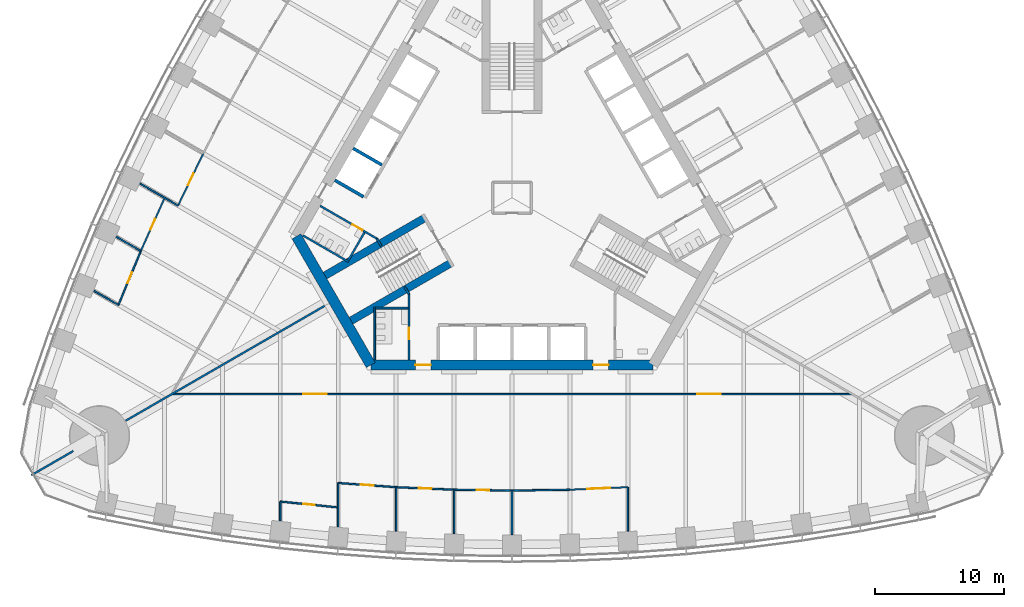
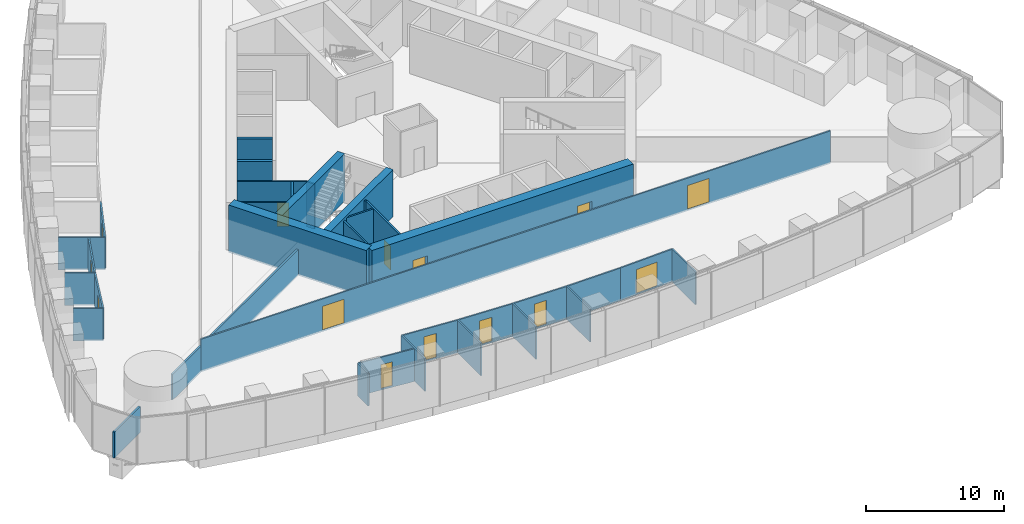
# One storey, part 10 of 18: 35 walls, 14 doors, 14 openings.
"""IFC4 building model written with IfcOpenShell, lengths in metres."""

from ifc_helpers import new_model, si_unit, direction, frame, frame_2d, origin, place, context, subcontext, project, spatial, rectangle, extrude, material, layer, layer_set, type_object, element, fill, save


model = new_model("IFC4")

# Units and contexts
model_context = context("Model", 3, precision=1e-05, world=origin(), true_north=direction((0.0, 1.0)))
body_context = subcontext(model_context, "Body", "Model", "MODEL_VIEW")
ifc_project = project(units=[si_unit("LENGTHUNIT", "METRE"), si_unit("AREAUNIT", "SQUARE_METRE"), si_unit("VOLUMEUNIT", "CUBIC_METRE"), si_unit("PLANEANGLEUNIT", "RADIAN"), si_unit("MASSUNIT", "GRAM", prefix="KILO")], contexts=[model_context])

# Site, building, storey
site_placement = place(None, origin())
site = spatial("IfcSite", under=ifc_project, at=site_placement, CompositionType="ELEMENT")
building_placement = place(site_placement, origin())
building = spatial("IfcBuilding", under=site, at=building_placement, Name="Trefoil Bronze Tower", CompositionType="ELEMENT")
storey_placement = place(building_placement, frame((0.0, 0.0, 54.300048828125)))
storey = spatial("IfcBuildingStorey", under=building, at=storey_placement, Name="L12", CompositionType="ELEMENT", Elevation=54.300048828125)

# Wall, openings, doors
ifc_material_1 = material(Name="Concrete B80", Category="concrete")
ifc_layer_1 = layer(ifc_material_1, 0.800048828125)
ifc_layer_set_1 = layer_set([ifc_layer_1], Name="Core wall 800")
wall_type_1 = type_object("IfcWallType", Name="Core wall 800", PredefinedType="SHEAR", material=ifc_layer_set_1)
wall_1_placement = place(storey_placement, frame((-10.9697265625, -13.0, 0.0), z_axis=(0.0, 0.0, 1.0), x_axis=(1.0, 0.0, 0.0)))
wall_1 = element("IfcWall", 1, at=wall_1_placement, inside=storey, type_object=wall_type_1, Name="Core long wall 1 L12", PredefinedType="SHEAR", context=body_context, shape_type="SweptSolid", body=[
    extrude(rectangle(XDim=21.939453125, YDim=0.800048828125, at=frame_2d((10.9697265625, 0.0))), origin(), (0.0, 0.0, 1.0), 4.199951171875),
])
opening_1_placement = place(wall_1_placement, frame((17.269775390625, 0.0, 0.0)))
opening_1 = element("IfcOpeningElement", 2, at=opening_1_placement, cuts=wall_1, Name="Opening D2", PredefinedType="OPENING", context=body_context, shape_type="SweptSolid", body=[
    extrude(rectangle(XDim=1.199951171875, YDim=2.10009765625, at=frame_2d((0.60009765625, 1.050048828125))), frame((0.0, 0.409912109375, 0.0), z_axis=(0.0, -1.0, 0.0), x_axis=(1.0, 0.0, 0.0)), (0.0, 0.0, 1.0), 0.820068359375),
])
opening_2_placement = place(wall_1_placement, frame((3.4697265625, 0.0, 0.0)))
opening_2 = element("IfcOpeningElement", 3, at=opening_2_placement, cuts=wall_1, Name="Opening D2", PredefinedType="OPENING", context=body_context, shape_type="SweptSolid", body=[
    extrude(rectangle(XDim=1.199951171875, YDim=2.10009765625, at=frame_2d((0.60009765625, 1.050048828125))), frame((0.0, 0.409912109375, 0.0), z_axis=(0.0, -1.0, 0.0), x_axis=(1.0, 0.0, 0.0)), (0.0, 0.0, 1.0), 0.820068359375),
])
ifc_material_2 = material(Name="Steel door", Category="steel")
door_type_1 = type_object("IfcDoorType", Name="Lobby door 1200", OperationType="SINGLE_SWING_RIGHT", PredefinedType="DOOR", material=ifc_material_2)
door_1_placement = place(opening_1_placement, origin())
door_1 = element("IfcDoor", 4, at=door_1_placement, inside=storey, type_object=door_type_1, Name="Lobby door F1+ L12", OperationType="SINGLE_SWING_RIGHT", OverallHeight=2.10009765625, OverallWidth=1.199951171875, PredefinedType="DOOR", context=body_context, shape_type="SweptSolid", body=[
    extrude(rectangle(XDim=1.199951171875, YDim=2.10009765625, at=frame_2d((0.60009765625, 1.050048828125))), frame((0.0, 0.02490234375, 0.0), z_axis=(0.0, -1.0, 0.0), x_axis=(1.0, 0.0, 0.0)), (0.0, 0.0, 1.0), 0.050048828125),
])
fill(opening_1, door_1)
door_2_placement = place(opening_2_placement, origin())
door_2 = element("IfcDoor", 5, at=door_2_placement, inside=storey, type_object=door_type_1, Name="Lobby door F1- L12", OperationType="SINGLE_SWING_LEFT", OverallHeight=2.10009765625, OverallWidth=1.199951171875, PredefinedType="DOOR", context=body_context, shape_type="SweptSolid", body=[
    extrude(rectangle(XDim=1.199951171875, YDim=2.10009765625, at=frame_2d((0.60009765625, 1.050048828125))), frame((0.0, 0.02490234375, 0.0), z_axis=(0.0, -1.0, 0.0), x_axis=(1.0, 0.0, 0.0)), (0.0, 0.0, 1.0), 0.050048828125),
])
fill(opening_2, door_2)

# Wall
wall_2_placement = place(storey_placement, frame((-16.7431640625, -3.0, 0.0), z_axis=(0.0, 0.0, 1.0), x_axis=(0.499995765644, -0.866027848477, 0.0)))
element("IfcWall", 6, at=wall_2_placement, inside=storey, type_object=wall_type_1, Name="Core short wall 3 L12", PredefinedType="SHEAR", context=body_context, shape_type="SweptSolid", body=[
    extrude(rectangle(XDim=11.546875, YDim=0.800048828125, at=frame_2d((5.7734375, 0.0))), origin(), (0.0, 0.0, 1.0), 4.199951171875),
])

# Wall, openings, doors
ifc_material_3 = material(Name="Glazed partition", Category="glass")
ifc_layer_2 = layer(ifc_material_3, 0.1201171875)
ifc_layer_set_2 = layer_set([ifc_layer_2], Name="Glazed partition 120")
wall_type_2 = type_object("IfcWallType", Name="Glazed partition 120", PredefinedType="PARTITIONING", material=ifc_layer_set_2)
wall_3_placement = place(storey_placement, frame((-26.398193359375, -15.260009765625, 0.0), z_axis=(0.0, 0.0, 1.0), x_axis=(1.0, 0.0, 0.0)))
wall_3 = element("IfcWall", 7, at=wall_3_placement, inside=storey, type_object=wall_type_2, Name="Partition F1 L12", PredefinedType="PARTITIONING", context=body_context, shape_type="SweptSolid", body=[
    extrude(rectangle(XDim=52.79638671875, YDim=0.1201171875, at=frame_2d((26.398193359375, 0.0))), origin(), (0.0, 0.0, 1.0), 2.89990234375),
])
opening_3_placement = place(wall_3_placement, frame((10.199951171875, 0.0, 0.14990234375)))
opening_3 = element("IfcOpeningElement", 8, at=opening_3_placement, cuts=wall_3, Name="Opening D10", PredefinedType="OPENING", context=body_context, shape_type="SweptSolid", body=[
    extrude(rectangle(XDim=1.800048828125, YDim=2.10009765625, at=frame_2d((0.89990234375, 1.050048828125))), frame((0.0, 0.070068359375, 0.0), z_axis=(0.0, -1.0, 0.0), x_axis=(1.0, 0.0, 0.0)), (0.0, 0.0, 1.0), 0.14013671875),
])
opening_4_placement = place(wall_3_placement, frame((40.800048828125, 0.0, 0.14990234375)))
opening_4 = element("IfcOpeningElement", 9, at=opening_4_placement, cuts=wall_3, Name="Opening D10", PredefinedType="OPENING", context=body_context, shape_type="SweptSolid", body=[
    extrude(rectangle(XDim=1.800048828125, YDim=2.10009765625, at=frame_2d((0.89990234375, 1.050048828125))), frame((0.0, 0.070068359375, 0.0), z_axis=(0.0, -1.0, 0.0), x_axis=(1.0, 0.0, 0.0)), (0.0, 0.0, 1.0), 0.14013671875),
])
ifc_material_4 = material(Name="Timber door", Category="wood")
door_type_2 = type_object("IfcDoorType", Name="Double door 1800", OperationType="DOUBLE_DOOR_SINGLE_SWING", PredefinedType="DOOR", material=ifc_material_4)
door_3_placement = place(opening_3_placement, origin())
door_3 = element("IfcDoor", 10, at=door_3_placement, inside=storey, type_object=door_type_2, Name="Corridor door F1 L12", OperationType="DOUBLE_DOOR_SINGLE_SWING", OverallHeight=2.10009765625, OverallWidth=1.800048828125, PredefinedType="DOOR", context=body_context, shape_type="SweptSolid", body=[
    extrude(rectangle(XDim=1.800048828125, YDim=2.10009765625, at=frame_2d((0.89990234375, 1.050048828125))), frame((0.0, 0.02490234375, 0.0), z_axis=(0.0, -1.0, 0.0), x_axis=(1.0, 0.0, 0.0)), (0.0, 0.0, 1.0), 0.050048828125),
])
fill(opening_3, door_3)
door_4_placement = place(opening_4_placement, origin())
door_4 = element("IfcDoor", 11, at=door_4_placement, inside=storey, type_object=door_type_2, Name="Corridor door F1 L12", OperationType="DOUBLE_DOOR_SINGLE_SWING", OverallHeight=2.10009765625, OverallWidth=1.800048828125, PredefinedType="DOOR", context=body_context, shape_type="SweptSolid", body=[
    extrude(rectangle(XDim=1.800048828125, YDim=2.10009765625, at=frame_2d((0.89990234375, 1.050048828125))), frame((0.0, 0.02490234375, 0.0), z_axis=(0.0, -1.0, 0.0), x_axis=(1.0, 0.0, 0.0)), (0.0, 0.0, 1.0), 0.050048828125),
])
fill(opening_4, door_4)

# Wall
wall_4_placement = place(storey_placement, frame((0.0, -22.748779296875, 0.0), z_axis=(0.0, 0.0, 1.0), x_axis=(0.999894311967, 0.014538393859, 0.0)))
element("IfcWall", 12, at=wall_4_placement, inside=storey, type_object=wall_type_2, Name="Partition F1 L12", PredefinedType="PARTITIONING", context=body_context, shape_type="SweptSolid", body=[
    extrude(rectangle(XDim=4.50048828125, YDim=0.1201171875, at=frame_2d((2.250244140625, 0.0))), origin(), (0.0, 0.0, 1.0), 2.89990234375),
])

# Wall, opening, door
wall_5_placement = place(storey_placement, frame((4.5, -22.683349609375, 0.0), z_axis=(0.0, 0.0, 1.0), x_axis=(0.999052370647, 0.043524254212, 0.0)))
wall_5 = element("IfcWall", 13, at=wall_5_placement, inside=storey, type_object=wall_type_2, Name="Partition F1 L12", PredefinedType="PARTITIONING", context=body_context, shape_type="SweptSolid", body=[
    extrude(rectangle(XDim=4.504150390625, YDim=0.1201171875, at=frame_2d((2.251953125, 0.0))), origin(), (0.0, 0.0, 1.0), 2.89990234375),
])
opening_5_placement = place(wall_5_placement, frame((1.35009765625, 0.0, 0.14990234375)))
opening_5 = element("IfcOpeningElement", 14, at=opening_5_placement, cuts=wall_5, Name="Opening D10", PredefinedType="OPENING", context=body_context, shape_type="SweptSolid", body=[
    extrude(rectangle(XDim=1.800048828125, YDim=2.10009765625, at=frame_2d((0.89990234375, 1.050048828125))), frame((0.0, 0.070068359375, 0.0), z_axis=(0.0, -1.0, 0.0), x_axis=(1.0, 0.0, 0.0)), (0.0, 0.0, 1.0), 0.14013671875),
])
door_5_placement = place(opening_5_placement, frame((1.800048828125, 0.0, 0.0), z_axis=(0.0, 0.0, 1.0), x_axis=(-1.0, 0.0, 0.0)))
door_5 = element("IfcDoor", 15, at=door_5_placement, inside=storey, type_object=door_type_2, Name="Kitchen and breakout door F1 L12", OperationType="DOUBLE_DOOR_SINGLE_SWING", OverallHeight=2.10009765625, OverallWidth=1.800048828125, PredefinedType="DOOR", context=body_context, shape_type="SweptSolid", body=[
    extrude(rectangle(XDim=1.800048828125, YDim=2.10009765625, at=frame_2d((0.89990234375, 1.050048828125))), frame((0.0, 0.02490234375, 0.0), z_axis=(0.0, -1.0, 0.0), x_axis=(1.0, 0.0, 0.0)), (0.0, 0.0, 1.0), 0.050048828125),
])
fill(opening_5, door_5)

wall_6_placement = place(storey_placement, frame((-13.5, -22.159912109375, 0.0), z_axis=(0.0, 0.0, 1.0), x_axis=(0.997363894896, -0.072562119306, 0.0)))
wall_6 = element("IfcWall", 16, at=wall_6_placement, inside=storey, type_object=wall_type_2, Name="Partition F1 L12", PredefinedType="PARTITIONING", context=body_context, shape_type="SweptSolid", body=[
    extrude(rectangle(XDim=4.511962890625, YDim=0.1201171875, at=frame_2d((2.255859375, 0.0))), origin(), (0.0, 0.0, 1.0), 2.89990234375),
])
opening_6_placement = place(wall_6_placement, frame((1.75, 0.0, 0.14990234375)))
opening_6 = element("IfcOpeningElement", 17, at=opening_6_placement, cuts=wall_6, Name="Opening D9", PredefinedType="OPENING", context=body_context, shape_type="SweptSolid", body=[
    extrude(rectangle(XDim=1.0, YDim=2.10009765625, at=frame_2d((0.5, 1.050048828125))), frame((0.0, 0.070068359375, 0.0), z_axis=(0.0, -1.0, 0.0), x_axis=(1.0, 0.0, 0.0)), (0.0, 0.0, 1.0), 0.14013671875),
])
ifc_material_5 = material(Name="Glazed timber door", Category="wood")
door_type_3 = type_object("IfcDoorType", Name="Meeting room door 1000", OperationType="SINGLE_SWING_LEFT", PredefinedType="DOOR", material=ifc_material_5)
door_6_placement = place(opening_6_placement, frame((1.0, 0.0, 0.0), z_axis=(0.0, 0.0, 1.0), x_axis=(-1.0, 0.0, 0.0)))
door_6 = element("IfcDoor", 18, at=door_6_placement, inside=storey, type_object=door_type_3, Name="Meeting room door F1 L12", OperationType="SINGLE_SWING_RIGHT", OverallHeight=2.10009765625, OverallWidth=1.0, PredefinedType="DOOR", context=body_context, shape_type="SweptSolid", body=[
    extrude(rectangle(XDim=1.0, YDim=2.10009765625, at=frame_2d((0.5, 1.050048828125))), frame((0.0, 0.02490234375, 0.0), z_axis=(0.0, -1.0, 0.0), x_axis=(1.0, 0.0, 0.0)), (0.0, 0.0, 1.0), 0.050048828125),
])
fill(opening_6, door_6)

wall_7_placement = place(storey_placement, frame((-18.0, -23.6005859375, 0.0), z_axis=(0.0, 0.0, 1.0), x_axis=(0.994827688697, -0.101576915697, 0.0)))
wall_7 = element("IfcWall", 19, at=wall_7_placement, inside=storey, type_object=wall_type_2, Name="Partition F1 L12", PredefinedType="PARTITIONING", context=body_context, shape_type="SweptSolid", body=[
    extrude(rectangle(XDim=4.5234375, YDim=0.1201171875, at=frame_2d((2.26171875, 0.0))), origin(), (0.0, 0.0, 1.0), 2.89990234375),
])
opening_7_placement = place(wall_7_placement, frame((1.800048828125, 0.0, 0.14990234375)))
opening_7 = element("IfcOpeningElement", 20, at=opening_7_placement, cuts=wall_7, Name="Opening D8", PredefinedType="OPENING", context=body_context, shape_type="SweptSolid", body=[
    extrude(rectangle(XDim=0.89990234375, YDim=2.10009765625, at=frame_2d((0.449951171875, 1.050048828125))), frame((0.0, 0.070068359375, 0.0), z_axis=(0.0, -1.0, 0.0), x_axis=(1.0, 0.0, 0.0)), (0.0, 0.0, 1.0), 0.14013671875),
])
ifc_material_6 = material(Name="Timber door", Category="wood")
door_type_4 = type_object("IfcDoorType", Name="Office door 900", OperationType="SINGLE_SWING_LEFT", PredefinedType="DOOR", material=ifc_material_6)
door_7_placement = place(opening_7_placement, frame((0.89990234375, 0.0, 0.0), z_axis=(0.0, 0.0, 1.0), x_axis=(-1.0, 0.0, 0.0)))
door_7 = element("IfcDoor", 21, at=door_7_placement, inside=storey, type_object=door_type_4, Name="Comms room door F1 L12", OperationType="SINGLE_SWING_RIGHT", OverallHeight=2.10009765625, OverallWidth=0.89990234375, PredefinedType="DOOR", context=body_context, shape_type="SweptSolid", body=[
    extrude(rectangle(XDim=0.89990234375, YDim=2.10009765625, at=frame_2d((0.449951171875, 1.050048828125))), frame((0.0, 0.02490234375, 0.0), z_axis=(0.0, -1.0, 0.0), x_axis=(1.0, 0.0, 0.0)), (0.0, 0.0, 1.0), 0.050048828125),
])
fill(opening_7, door_7)

wall_8_placement = place(storey_placement, frame((-4.5, -22.683349609375, 0.0), z_axis=(0.0, 0.0, 1.0), x_axis=(0.999894311967, -0.014538393859, 0.0)))
wall_8 = element("IfcWall", 22, at=wall_8_placement, inside=storey, type_object=wall_type_2, Name="Partition F1 L12", PredefinedType="PARTITIONING", context=body_context, shape_type="SweptSolid", body=[
    extrude(rectangle(XDim=4.50048828125, YDim=0.1201171875, at=frame_2d((2.250244140625, 0.0))), origin(), (0.0, 0.0, 1.0), 2.89990234375),
])
opening_8_placement = place(wall_8_placement, frame((1.75, 0.0, 0.14990234375)))
opening_8 = element("IfcOpeningElement", 23, at=opening_8_placement, cuts=wall_8, Name="Opening D9", PredefinedType="OPENING", context=body_context, shape_type="SweptSolid", body=[
    extrude(rectangle(XDim=1.0, YDim=2.10009765625, at=frame_2d((0.5, 1.050048828125))), frame((0.0, 0.070068359375, 0.0), z_axis=(0.0, -1.0, 0.0), x_axis=(1.0, 0.0, 0.0)), (0.0, 0.0, 1.0), 0.14013671875),
])
door_8_placement = place(opening_8_placement, frame((1.0, 0.0, 0.0), z_axis=(0.0, 0.0, 1.0), x_axis=(-1.0, 0.0, 0.0)))
door_8 = element("IfcDoor", 24, at=door_8_placement, inside=storey, type_object=door_type_3, Name="Meeting room door F1 L12", OperationType="SINGLE_SWING_RIGHT", OverallHeight=2.10009765625, OverallWidth=1.0, PredefinedType="DOOR", context=body_context, shape_type="SweptSolid", body=[
    extrude(rectangle(XDim=1.0, YDim=2.10009765625, at=frame_2d((0.5, 1.050048828125))), frame((0.0, 0.02490234375, 0.0), z_axis=(0.0, -1.0, 0.0), x_axis=(1.0, 0.0, 0.0)), (0.0, 0.0, 1.0), 0.050048828125),
])
fill(opening_8, door_8)

wall_9_placement = place(storey_placement, frame((-9.0, -22.4873046875, 0.0), z_axis=(0.0, 0.0, 1.0), x_axis=(0.999052370647, -0.043524254212, 0.0)))
wall_9 = element("IfcWall", 25, at=wall_9_placement, inside=storey, type_object=wall_type_2, Name="Partition F1 L12", PredefinedType="PARTITIONING", context=body_context, shape_type="SweptSolid", body=[
    extrude(rectangle(XDim=4.504150390625, YDim=0.1201171875, at=frame_2d((2.251953125, 0.0))), origin(), (0.0, 0.0, 1.0), 2.89990234375),
])
opening_9_placement = place(wall_9_placement, frame((1.75, 0.0, 0.14990234375)))
opening_9 = element("IfcOpeningElement", 26, at=opening_9_placement, cuts=wall_9, Name="Opening D9", PredefinedType="OPENING", context=body_context, shape_type="SweptSolid", body=[
    extrude(rectangle(XDim=1.0, YDim=2.10009765625, at=frame_2d((0.5, 1.050048828125))), frame((0.0, 0.070068359375, 0.0), z_axis=(0.0, -1.0, 0.0), x_axis=(1.0, 0.0, 0.0)), (0.0, 0.0, 1.0), 0.14013671875),
])
door_9_placement = place(opening_9_placement, frame((1.0, 0.0, 0.0), z_axis=(0.0, 0.0, 1.0), x_axis=(-1.0, 0.0, 0.0)))
door_9 = element("IfcDoor", 27, at=door_9_placement, inside=storey, type_object=door_type_3, Name="Meeting room door F1 L12", OperationType="SINGLE_SWING_RIGHT", OverallHeight=2.10009765625, OverallWidth=1.0, PredefinedType="DOOR", context=body_context, shape_type="SweptSolid", body=[
    extrude(rectangle(XDim=1.0, YDim=2.10009765625, at=frame_2d((0.5, 1.050048828125))), frame((0.0, 0.02490234375, 0.0), z_axis=(0.0, -1.0, 0.0), x_axis=(1.0, 0.0, 0.0)), (0.0, 0.0, 1.0), 0.050048828125),
])
fill(opening_9, door_9)

# Walls
wall_10_placement = place(storey_placement, frame((0.0, -22.748779296875, 0.0), z_axis=(0.0, 0.0, 1.0), x_axis=(0.0, -1.0, 0.0)))
element("IfcWall", 28, at=wall_10_placement, inside=storey, type_object=wall_type_2, Name="Partition F1 L12", PredefinedType="PARTITIONING", context=body_context, shape_type="SweptSolid", body=[
    extrude(rectangle(XDim=3.419921875, YDim=0.1201171875, at=frame_2d((1.7099609375, 0.0))), origin(), (0.0, 0.0, 1.0), 2.89990234375),
])
wall_11_placement = place(storey_placement, frame((9.0, -22.4873046875, 0.0), z_axis=(0.0, 0.0, 1.0), x_axis=(0.0, -1.0, 0.0)))
element("IfcWall", 29, at=wall_11_placement, inside=storey, type_object=wall_type_2, Name="Partition F1 L12", PredefinedType="PARTITIONING", context=body_context, shape_type="SweptSolid", body=[
    extrude(rectangle(XDim=3.41748046875, YDim=0.1201171875, at=frame_2d((1.708740234375, 0.0))), origin(), (0.0, 0.0, 1.0), 2.89990234375),
])
wall_12_placement = place(storey_placement, frame((-13.5, -22.159912109375, 0.0), z_axis=(0.0, 0.0, 1.0), x_axis=(0.0, -1.0, 0.0)))
element("IfcWall", 30, at=wall_12_placement, inside=storey, type_object=wall_type_2, Name="Partition F1 L12", PredefinedType="PARTITIONING", context=body_context, shape_type="SweptSolid", body=[
    extrude(rectangle(XDim=3.4140625, YDim=0.1201171875, at=frame_2d((1.70703125, 0.0))), origin(), (0.0, 0.0, 1.0), 2.89990234375),
])
wall_13_placement = place(storey_placement, frame((-18.0, -23.6005859375, 0.0), z_axis=(0.0, 0.0, 1.0), x_axis=(0.0, -1.0, 0.0)))
element("IfcWall", 31, at=wall_13_placement, inside=storey, type_object=wall_type_2, Name="Partition F1 L12", PredefinedType="PARTITIONING", context=body_context, shape_type="SweptSolid", body=[
    extrude(rectangle(XDim=1.50927734375, YDim=0.1201171875, at=frame_2d((0.754638671875, 0.0))), origin(), (0.0, 0.0, 1.0), 2.89990234375),
])
wall_14_placement = place(storey_placement, frame((-4.5, -22.683349609375, 0.0), z_axis=(0.0, 0.0, 1.0), x_axis=(0.0, -1.0, 0.0)))
element("IfcWall", 32, at=wall_14_placement, inside=storey, type_object=wall_type_2, Name="Partition F1 L12", PredefinedType="PARTITIONING", context=body_context, shape_type="SweptSolid", body=[
    extrude(rectangle(XDim=3.41943359375, YDim=0.1201171875, at=frame_2d((1.709716796875, 0.0))), origin(), (0.0, 0.0, 1.0), 2.89990234375),
])
wall_15_placement = place(storey_placement, frame((-9.0, -22.4873046875, 0.0), z_axis=(0.0, 0.0, 1.0), x_axis=(0.0, -1.0, 0.0)))
element("IfcWall", 33, at=wall_15_placement, inside=storey, type_object=wall_type_2, Name="Partition F1 L12", PredefinedType="PARTITIONING", context=body_context, shape_type="SweptSolid", body=[
    extrude(rectangle(XDim=3.41748046875, YDim=0.1201171875, at=frame_2d((1.708740234375, 0.0))), origin(), (0.0, 0.0, 1.0), 2.89990234375),
])

# Wall, opening, door
wall_16_placement = place(storey_placement, frame((-26.98046875, -0.01123046875, 0.0), z_axis=(0.0, 0.0, 1.0), x_axis=(-0.409430894151, -0.912341132973, 0.0)))
wall_16 = element("IfcWall", 34, at=wall_16_placement, inside=storey, type_object=wall_type_2, Name="Partition F3 L12", PredefinedType="PARTITIONING", context=body_context, shape_type="SweptSolid", body=[
    extrude(rectangle(XDim=4.5234375, YDim=0.1201171875, at=frame_2d((2.26171875, 0.0))), origin(), (0.0, 0.0, 1.0), 2.89990234375),
])
opening_10_placement = place(wall_16_placement, frame((1.800048828125, 0.0, 0.14990234375)))
opening_10 = element("IfcOpeningElement", 35, at=opening_10_placement, cuts=wall_16, Name="Opening D8", PredefinedType="OPENING", context=body_context, shape_type="SweptSolid", body=[
    extrude(rectangle(XDim=0.89990234375, YDim=2.10009765625, at=frame_2d((0.449951171875, 1.050048828125))), frame((0.0, 0.070068359375, 0.0), z_axis=(0.0, -1.0, 0.0), x_axis=(1.0, 0.0, 0.0)), (0.0, 0.0, 1.0), 0.14013671875),
])
door_10_placement = place(opening_10_placement, frame((0.89990234375, 0.0, 0.0), z_axis=(0.0, 0.0, 1.0), x_axis=(-1.0, 0.0, 0.0)))
door_10 = element("IfcDoor", 36, at=door_10_placement, inside=storey, type_object=door_type_4, Name="Pantry door F3 L12", OperationType="SINGLE_SWING_RIGHT", OverallHeight=2.10009765625, OverallWidth=0.89990234375, PredefinedType="DOOR", context=body_context, shape_type="SweptSolid", body=[
    extrude(rectangle(XDim=0.89990234375, YDim=2.10009765625, at=frame_2d((0.449951171875, 1.050048828125))), frame((0.0, 0.02490234375, 0.0), z_axis=(0.0, -1.0, 0.0), x_axis=(1.0, 0.0, 0.0)), (0.0, 0.0, 1.0), 0.050048828125),
])
fill(opening_10, door_10)

wall_17_placement = place(storey_placement, frame((-28.83251953125, -4.13818359375, 0.0), z_axis=(0.0, 0.0, 1.0), x_axis=(-0.38265900014, -0.923889652292, 0.0)))
wall_17 = element("IfcWall", 37, at=wall_17_placement, inside=storey, type_object=wall_type_2, Name="Partition F3 L12", PredefinedType="PARTITIONING", context=body_context, shape_type="SweptSolid", body=[
    extrude(rectangle(XDim=4.538818359375, YDim=0.1201171875, at=frame_2d((2.26953125, 0.0))), origin(), (0.0, 0.0, 1.0), 2.89990234375),
])
opening_11_placement = place(wall_17_placement, frame((1.800048828125, 0.0, 0.14990234375)))
opening_11 = element("IfcOpeningElement", 38, at=opening_11_placement, cuts=wall_17, Name="Opening D8", PredefinedType="OPENING", context=body_context, shape_type="SweptSolid", body=[
    extrude(rectangle(XDim=0.89990234375, YDim=2.10009765625, at=frame_2d((0.449951171875, 1.050048828125))), frame((0.0, 0.070068359375, 0.0), z_axis=(0.0, -1.0, 0.0), x_axis=(1.0, 0.0, 0.0)), (0.0, 0.0, 1.0), 0.14013671875),
])
door_11_placement = place(opening_11_placement, frame((0.89990234375, 0.0, 0.0), z_axis=(0.0, 0.0, 1.0), x_axis=(-1.0, 0.0, 0.0)))
door_11 = element("IfcDoor", 39, at=door_11_placement, inside=storey, type_object=door_type_4, Name="Pantry door F3 L12", OperationType="SINGLE_SWING_RIGHT", OverallHeight=2.10009765625, OverallWidth=0.89990234375, PredefinedType="DOOR", context=body_context, shape_type="SweptSolid", body=[
    extrude(rectangle(XDim=0.89990234375, YDim=2.10009765625, at=frame_2d((0.449951171875, 1.050048828125))), frame((0.0, 0.02490234375, 0.0), z_axis=(0.0, -1.0, 0.0), x_axis=(1.0, 0.0, 0.0)), (0.0, 0.0, 1.0), 0.050048828125),
])
fill(opening_11, door_11)

wall_18_placement = place(storey_placement, frame((-23.974609375, 3.449462890625, 0.0), z_axis=(0.0, 0.0, 1.0), x_axis=(-0.435857917556, -0.900015486369, 0.0)))
wall_18 = element("IfcWall", 40, at=wall_18_placement, inside=storey, type_object=wall_type_2, Name="Partition F3 L12", PredefinedType="PARTITIONING", context=body_context, shape_type="SweptSolid", body=[
    extrude(rectangle(XDim=4.511962890625, YDim=0.1201171875, at=frame_2d((2.255859375, 0.0))), origin(), (0.0, 0.0, 1.0), 2.89990234375),
])
opening_12_placement = place(wall_18_placement, frame((1.75, 0.0, 0.14990234375)))
opening_12 = element("IfcOpeningElement", 41, at=opening_12_placement, cuts=wall_18, Name="Opening D9", PredefinedType="OPENING", context=body_context, shape_type="SweptSolid", body=[
    extrude(rectangle(XDim=1.0, YDim=2.10009765625, at=frame_2d((0.5, 1.050048828125))), frame((0.0, 0.070068359375, 0.0), z_axis=(0.0, -1.0, 0.0), x_axis=(1.0, 0.0, 0.0)), (0.0, 0.0, 1.0), 0.14013671875),
])
door_12_placement = place(opening_12_placement, frame((1.0, 0.0, 0.0), z_axis=(0.0, 0.0, 1.0), x_axis=(-1.0, 0.0, 0.0)))
door_12 = element("IfcDoor", 42, at=door_12_placement, inside=storey, type_object=door_type_3, Name="Meeting room door F3 L12", OperationType="SINGLE_SWING_RIGHT", OverallHeight=2.10009765625, OverallWidth=1.0, PredefinedType="DOOR", context=body_context, shape_type="SweptSolid", body=[
    extrude(rectangle(XDim=1.0, YDim=2.10009765625, at=frame_2d((0.5, 1.050048828125))), frame((0.0, 0.02490234375, 0.0), z_axis=(0.0, -1.0, 0.0), x_axis=(1.0, 0.0, 0.0)), (0.0, 0.0, 1.0), 0.050048828125),
])
fill(opening_12, door_12)

# Walls
wall_19_placement = place(storey_placement, frame((-25.941162109375, -0.611328125, 0.0), z_axis=(0.0, 0.0, 1.0), x_axis=(-0.866016478054, 0.500015459501, 0.0)))
element("IfcWall", 43, at=wall_19_placement, inside=storey, type_object=wall_type_2, Name="Partition F3 L12", PredefinedType="PARTITIONING", context=body_context, shape_type="SweptSolid", body=[
    extrude(rectangle(XDim=3.4140625, YDim=0.1201171875, at=frame_2d((1.70703125, 0.0))), origin(), (0.0, 0.0, 1.0), 2.89990234375),
])
wall_20_placement = place(storey_placement, frame((-28.83251953125, -4.13818359375, 0.0), z_axis=(0.0, 0.0, 1.0), x_axis=(-0.866010764432, 0.500025355245, 0.0)))
element("IfcWall", 44, at=wall_20_placement, inside=storey, type_object=wall_type_2, Name="Partition F3 L12", PredefinedType="PARTITIONING", context=body_context, shape_type="SweptSolid", body=[
    extrude(rectangle(XDim=2.20947265625, YDim=0.1201171875, at=frame_2d((1.104736328125, 0.0))), origin(), (0.0, 0.0, 1.0), 2.89990234375),
])
wall_21_placement = place(storey_placement, frame((-30.5693359375, -8.33154296875, 0.0), z_axis=(0.0, 0.0, 1.0), x_axis=(-0.86602503688, 0.500000635496, 0.0)))
element("IfcWall", 45, at=wall_21_placement, inside=storey, type_object=wall_type_2, Name="Partition F3 L12", PredefinedType="PARTITIONING", context=body_context, shape_type="SweptSolid", body=[
    extrude(rectangle(XDim=2.203125, YDim=0.1201171875, at=frame_2d((1.1015625, 0.0))), origin(), (0.0, 0.0, 1.0), 2.89990234375),
])

# Wall, opening, door
ifc_material_7 = material(Name="Gypsum board on steel studs", Category="steel")
ifc_layer_3 = layer(ifc_material_7, 0.14990234375)
ifc_layer_set_3 = layer_set([ifc_layer_3], Name="Partition 150")
wall_type_3 = type_object("IfcWallType", Name="Partition 150", PredefinedType="PARTITIONING", material=ifc_layer_set_3)
wall_22_placement = place(storey_placement, frame((-8.0, -7.5, 0.0), z_axis=(0.0, 0.0, 1.0), x_axis=(0.0, -1.0, 0.0)))
wall_22 = element("IfcWall", 46, at=wall_22_placement, inside=storey, type_object=wall_type_3, Name="Passage wall F1- L12", PredefinedType="PARTITIONING", context=body_context, shape_type="SweptSolid", body=[
    extrude(rectangle(XDim=5.10009765625, YDim=0.14990234375, at=frame_2d((2.550048828125, 0.0))), origin(), (0.0, 0.0, 1.0), 4.0),
])
opening_13_placement = place(wall_22_placement, frame((2.60009765625, 0.0, 0.0)))
opening_13 = element("IfcOpeningElement", 47, at=opening_13_placement, cuts=wall_22, Name="Opening D3", PredefinedType="OPENING", context=body_context, shape_type="SweptSolid", body=[
    extrude(rectangle(XDim=0.89990234375, YDim=2.10009765625, at=frame_2d((0.449951171875, 1.050048828125))), frame((0.0, 0.0849609375, 0.0), z_axis=(0.0, -1.0, 0.0), x_axis=(1.0, 0.0, 0.0)), (0.0, 0.0, 1.0), 0.169921875),
])
ifc_material_8 = material(Name="Timber door", Category="wood")
door_type_5 = type_object("IfcDoorType", Name="WC door 900", OperationType="SINGLE_SWING_LEFT", PredefinedType="DOOR", material=ifc_material_8)
door_13_placement = place(opening_13_placement, frame((0.89990234375, 0.0, 0.0), z_axis=(0.0, 0.0, 1.0), x_axis=(-1.0, 0.0, 0.0)))
door_13 = element("IfcDoor", 48, at=door_13_placement, inside=storey, type_object=door_type_5, Name="WC (women) door L12", OperationType="SINGLE_SWING_RIGHT", OverallHeight=2.10009765625, OverallWidth=0.89990234375, PredefinedType="DOOR", context=body_context, shape_type="SweptSolid", body=[
    extrude(rectangle(XDim=0.89990234375, YDim=2.10009765625, at=frame_2d((0.449951171875, 1.050048828125))), frame((0.0, 0.02490234375, 0.0), z_axis=(0.0, -1.0, 0.0), x_axis=(1.0, 0.0, 0.0)), (0.0, 0.0, 1.0), 0.050048828125),
])
fill(opening_13, door_13)

wall_23_placement = place(storey_placement, frame((-10.4951171875, -3.17822265625, 0.0), z_axis=(0.0, 0.0, 1.0), x_axis=(-0.86602216432, 0.500005610874, 0.0)))
wall_23 = element("IfcWall", 49, at=wall_23_placement, inside=storey, type_object=wall_type_3, Name="Passage wall F3+ L12", PredefinedType="PARTITIONING", context=body_context, shape_type="SweptSolid", body=[
    extrude(rectangle(XDim=5.10009765625, YDim=0.14990234375, at=frame_2d((2.550048828125, 0.0))), origin(), (0.0, 0.0, 1.0), 4.0),
])
opening_14_placement = place(wall_23_placement, frame((1.300048828125, 0.0, 0.0)))
opening_14 = element("IfcOpeningElement", 50, at=opening_14_placement, cuts=wall_23, Name="Opening D3", PredefinedType="OPENING", context=body_context, shape_type="SweptSolid", body=[
    extrude(rectangle(XDim=0.89990234375, YDim=2.10009765625, at=frame_2d((0.449951171875, 1.050048828125))), frame((0.0, 0.0849609375, 0.0), z_axis=(0.0, -1.0, 0.0), x_axis=(1.0, 0.0, 0.0)), (0.0, 0.0, 1.0), 0.169921875),
])
door_14_placement = place(opening_14_placement, origin())
door_14 = element("IfcDoor", 51, at=door_14_placement, inside=storey, type_object=door_type_5, Name="WC (men) door L12", OperationType="SINGLE_SWING_LEFT", OverallHeight=2.10009765625, OverallWidth=0.89990234375, PredefinedType="DOOR", context=body_context, shape_type="SweptSolid", body=[
    extrude(rectangle(XDim=0.89990234375, YDim=2.10009765625, at=frame_2d((0.449951171875, 1.050048828125))), frame((0.0, 0.02490234375, 0.0), z_axis=(0.0, -1.0, 0.0), x_axis=(1.0, 0.0, 0.0)), (0.0, 0.0, 1.0), 0.050048828125),
])
fill(opening_14, door_14)

# Walls
for number, where, z_axis, x_axis, name in (
    (52, (-10.4951171875, -3.17822265625, 0.0), (0.0, 0.0, 1.0), (0.499842556608, -0.866116284689, 0.0), "WC wall ST3-1 L12"),
    (53, (-8.0, -7.5, 0.0), (0.0, 0.0, 1.0), (-0.499842556608, 0.866116284689, 0.0), "WC wall ST3+1 L12"),
):
    element("IfcWall", number, at=place(storey_placement, frame(where, z_axis=z_axis, x_axis=x_axis)), inside=storey, type_object=wall_type_3, Name=name, PredefinedType="PARTITIONING", context=body_context, shape_type="SweptSolid", body=[
        extrude(rectangle(XDim=0.645263671875, YDim=0.14990234375, at=frame_2d((0.32275390625, 0.0))), origin(), (0.0, 0.0, 1.0), 4.0),
    ])
wall_24_placement = place(storey_placement, frame((-12.691162109375, -4.98193359375, 0.0), z_axis=(0.0, 0.0, 1.0), x_axis=(-0.8660249478, 0.500000789788, 0.0)))
element("IfcWall", 54, at=wall_24_placement, inside=storey, type_object=wall_type_3, Name="WC partition WC (men) L12", PredefinedType="PARTITIONING", context=body_context, shape_type="SweptSolid", body=[
    extrude(rectangle(XDim=4.10009765625, YDim=0.14990234375, at=frame_2d((2.050048828125, 0.0))), origin(), (0.0, 0.0, 1.0), 4.0),
])
wall_25_placement = place(storey_placement, frame((-11.463623046875, -2.70556640625, 0.0), z_axis=(0.0, 0.0, 1.0), x_axis=(-0.50001992892, -0.866013897511, 0.0)))
element("IfcWall", 55, at=wall_25_placement, inside=storey, type_object=wall_type_3, Name="WC partition WC (men) L12", PredefinedType="PARTITIONING", context=body_context, shape_type="SweptSolid", body=[
    extrude(rectangle(XDim=2.51025390625, YDim=0.14990234375, at=frame_2d((1.255126953125, 0.0))), origin(), (0.0, 0.0, 1.0), 4.0),
])
wall_26_placement = place(storey_placement, frame((-10.659912109375, -8.5, 0.0), z_axis=(0.0, 0.0, 1.0), x_axis=(0.0, -1.0, 0.0)))
element("IfcWall", 56, at=wall_26_placement, inside=storey, type_object=wall_type_3, Name="WC partition WC (women) L12", PredefinedType="PARTITIONING", context=body_context, shape_type="SweptSolid", body=[
    extrude(rectangle(XDim=4.10009765625, YDim=0.14990234375, at=frame_2d((2.050048828125, 0.0))), origin(), (0.0, 0.0, 1.0), 4.0),
])
wall_27_placement = place(storey_placement, frame((-8.074951171875, -8.574951171875, 0.0), z_axis=(0.0, 0.0, 1.0), x_axis=(-1.0, 0.0, 0.0)))
element("IfcWall", 57, at=wall_27_placement, inside=storey, type_object=wall_type_3, Name="WC partition WC (women) L12", PredefinedType="PARTITIONING", context=body_context, shape_type="SweptSolid", body=[
    extrude(rectangle(XDim=2.510009765625, YDim=0.14990234375, at=frame_2d((1.2548828125, 0.0))), origin(), (0.0, 0.0, 1.0), 4.0),
])
ifc_material_9 = material(Name="Gypsum board on steel studs", Category="steel")
ifc_layer_4 = layer(ifc_material_9, 0.14990234375)
ifc_layer_set_4 = layer_set([ifc_layer_4], Name="Party wall 150")
wall_type_4 = type_object("IfcWallType", Name="Party wall 150", PredefinedType="PARTITIONING", material=ifc_layer_set_4)
wall_28_placement = place(storey_placement, frame((-14.202880859375, -8.199951171875, 0.0), z_axis=(0.0, 0.0, 1.0), x_axis=(-0.866024965723, -0.500000758745, 0.0)))
element("IfcWall", 58, at=wall_28_placement, inside=storey, type_object=wall_type_4, Name="Party wall K3 L12", PredefinedType="PARTITIONING", context=body_context, shape_type="SweptSolid", body=[
    extrude(rectangle(XDim=18.25, YDim=0.14990234375, at=frame_2d((9.125, 0.0))), origin(), (0.0, 0.0, 1.0), 2.300048828125),
])
wall_29_placement = place(storey_placement, frame((-34.078125, -19.675048828125, 0.0), z_axis=(0.0, 0.0, 1.0), x_axis=(-0.866019247219, -0.500010663332, 0.0)))
element("IfcWall", 59, at=wall_29_placement, inside=storey, type_object=wall_type_4, Name="Party wall K3 L12", PredefinedType="PARTITIONING", context=body_context, shape_type="SweptSolid", body=[
    extrude(rectangle(XDim=3.76416015625, YDim=0.14990234375, at=frame_2d((1.882080078125, 0.0))), origin(), (0.0, 0.0, 1.0), 2.300048828125),
])
ifc_material_10 = material(Name="Concrete B80", Category="concrete")
ifc_layer_5 = layer(ifc_material_10, 0.25)
ifc_layer_set_5 = layer_set([ifc_layer_5], Name="Shaft wall 250")
wall_type_5 = type_object("IfcWallType", Name="Shaft wall 250", PredefinedType="SHEAR", material=ifc_layer_set_5)
for number, where, z_axis, x_axis, name in (
    (60, (-10.10693359375, 2.54443359375, 0.0), (0.0, 0.0, 1.0), (-0.866046643894, 0.499963209246, 0.0), "Lift shaft side wall C3 L12"),
    (61, (-11.531982421875, 0.076171875, 0.0), (0.0, 0.0, 1.0), (-0.866005588531, 0.500034319456, 0.0), "Lift shaft side wall C4 L12"),
):
    element("IfcWall", number, at=place(storey_placement, frame(where, z_axis=z_axis, x_axis=x_axis)), inside=storey, type_object=wall_type_5, Name=name, PredefinedType="SHEAR", context=body_context, shape_type="SweptSolid", body=[
        extrude(rectangle(XDim=2.574951171875, YDim=0.25, at=frame_2d((1.28759765625, 0.0))), origin(), (0.0, 0.0, 1.0), 4.199951171875),
    ])
ifc_material_11 = material(Name="Concrete B80", Category="concrete")
ifc_layer_6 = layer(ifc_material_11, 0.60009765625)
ifc_layer_set_6 = layer_set([ifc_layer_6], Name="Stair wall 600")
wall_type_6 = type_object("IfcWallType", Name="Stair wall 600", PredefinedType="SHEAR", material=ifc_layer_set_6)
for number, where, z_axis, x_axis, name in (
    (62, (-6.663330078125, -1.5087890625, 0.0), (0.0, 0.0, 1.0), (-0.866019375473, -0.500010441196, 0.0), "Stair wall ST3 L12"),
    (63, (-4.638427734375, -5.01611328125, 0.0), (0.0, 0.0, 1.0), (-0.866019375473, -0.500010441196, 0.0), "Stair wall ST3 L12"),
):
    element("IfcWall", number, at=place(storey_placement, frame(where, z_axis=z_axis, x_axis=x_axis)), inside=storey, type_object=wall_type_6, Name=name, PredefinedType="SHEAR", context=body_context, shape_type="SweptSolid", body=[
        extrude(rectangle(XDim=9.074951171875, YDim=0.60009765625, at=frame_2d((4.53759765625, 0.0))), origin(), (0.0, 0.0, 1.0), 4.199951171875),
    ])

save(model, "model.ifc")
